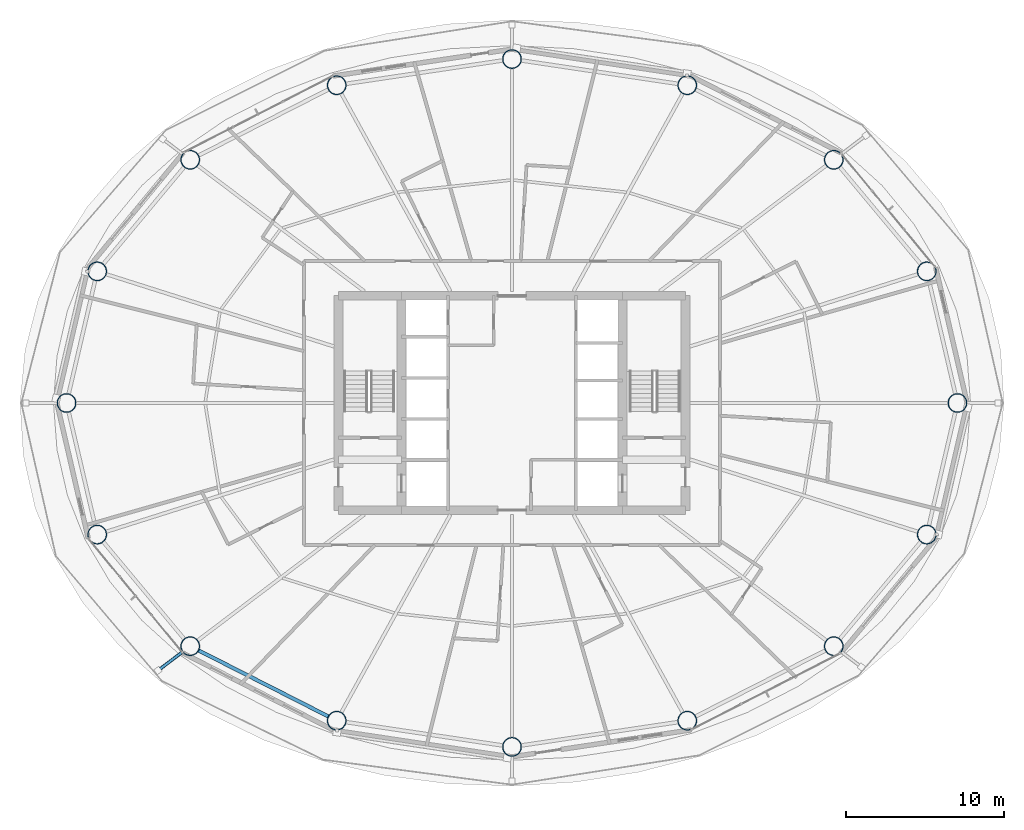
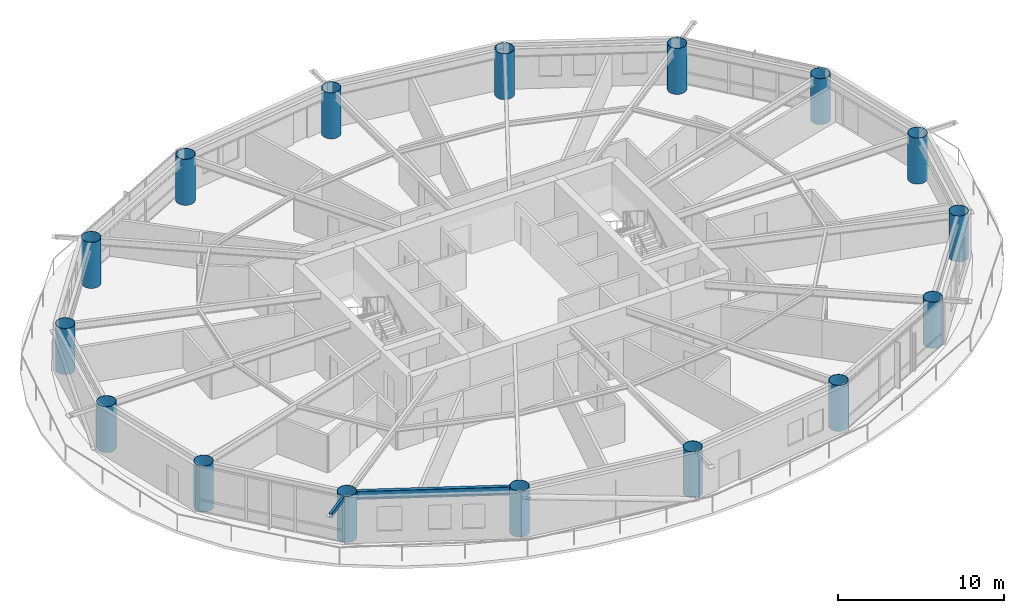
# One storey, part 1 of 24: 16 columns, 1 beam, 1 member.
"""IFC4 building model written with IfcOpenShell, lengths in metres."""

from ifc_helpers import new_model, si_unit, direction, frame, origin, origin_2d, place, context, subcontext, project, spatial, hollow_rectangle, hollow_circle, i_section, extrude, material, material_profile, profile_set, type_object, element, save


model = new_model("IFC4")

# Units and contexts
model_context = context("Model", 3, precision=1e-05, world=origin(), true_north=direction((0.0, 1.0)))
body_context = subcontext(model_context, "Body", "Model", "MODEL_VIEW")
ifc_project = project(units=[si_unit("LENGTHUNIT", "METRE"), si_unit("AREAUNIT", "SQUARE_METRE"), si_unit("VOLUMEUNIT", "CUBIC_METRE"), si_unit("PLANEANGLEUNIT", "RADIAN"), si_unit("MASSUNIT", "GRAM", prefix="KILO")], contexts=[model_context])

# Site, building, storey
site_placement = place(None, origin())
site = spatial("IfcSite", under=ifc_project, at=site_placement, CompositionType="ELEMENT")
building_placement = place(site_placement, origin())
building = spatial("IfcBuilding", under=site, at=building_placement, Name="Sarneth Arch Tower", CompositionType="ELEMENT")
storey_placement = place(building_placement, frame((0.0, 0.0, 102.0)))
storey = spatial("IfcBuildingStorey", under=building, at=storey_placement, Name="L25", CompositionType="ELEMENT", Elevation=102.0)

# Columns
ifc_material_1 = material(Name="Steel S355", Category="steel")
ifc_material_profile_1 = material_profile(ifc_material_1, hollow_circle(Radius=0.60009765625, WallThickness=0.031982421875, at=origin_2d()), Name="CHS1200x32")
ifc_profile_set_1 = profile_set([ifc_material_profile_1], Name="Steel S355")
column_type = type_object("IfcColumnType", Name="COL-MEGA-1200", PredefinedType="COLUMN", material=ifc_profile_set_1)
for number, where, z_axis, x_axis, name in (
    (1, (76.236572265625, 42.0, 0.0), (0.0, 0.0, 1.0), (1.0, 0.0, 0.0), "L25 Perimeter mega-column M01"),
    (2, (74.291259765625, 50.342529296875, 0.0), (0.0, 0.0, 1.0), (1.0, 0.0, 0.0), "L25 Perimeter mega-column M02"),
    (3, (68.397705078125, 57.4150390625, 0.0), (0.0, 0.0, 1.0), (1.0, 0.0, 0.0), "L25 Perimeter mega-column M03"),
    (4, (59.1103515625, 62.140625, 0.0), (0.0, 0.0, 1.0), (1.0, 0.0, 0.0), "L25 Perimeter mega-column M04"),
    (5, (48.0, 63.800048828125, 0.0), (0.0, 0.0, 1.0), (1.0, 0.0, 0.0), "L25 Perimeter mega-column M05"),
    (6, (36.8896484375, 62.140625, 0.0), (0.0, 0.0, 1.0), (1.0, 0.0, 0.0), "L25 Perimeter mega-column M06"),
    (7, (27.602294921875, 57.4150390625, 0.0), (0.0, 0.0, 1.0), (1.0, 0.0, 0.0), "L25 Perimeter mega-column M07"),
    (8, (21.708740234375, 50.342529296875, 0.0), (0.0, 0.0, 1.0), (1.0, 0.0, 0.0), "L25 Perimeter mega-column M08"),
    (9, (19.763427734375, 42.0, 0.0), (0.0, 0.0, 1.0), (1.0, 0.0, 0.0), "L25 Perimeter mega-column M09"),
    (10, (21.708740234375, 33.657470703125, 0.0), (0.0, 0.0, 1.0), (1.0, 0.0, 0.0), "L25 Perimeter mega-column M10"),
    (11, (27.602294921875, 26.5849609375, 0.0), (0.0, 0.0, 1.0), (1.0, 0.0, 0.0), "L25 Perimeter mega-column M11"),
    (12, (36.8896484375, 21.859375, 0.0), (0.0, 0.0, 1.0), (1.0, 0.0, 0.0), "L25 Perimeter mega-column M12"),
    (13, (48.0, 20.199951171875, 0.0), (0.0, 0.0, 1.0), (1.0, 0.0, 0.0), "L25 Perimeter mega-column M13"),
    (14, (59.1103515625, 21.859375, 0.0), (0.0, 0.0, 1.0), (1.0, 0.0, 0.0), "L25 Perimeter mega-column M14"),
    (15, (68.397705078125, 26.5849609375, 0.0), (0.0, 0.0, 1.0), (1.0, 0.0, 0.0), "L25 Perimeter mega-column M15"),
    (16, (74.291259765625, 33.657470703125, 0.0), (0.0, 0.0, 1.0), (1.0, 0.0, 0.0), "L25 Perimeter mega-column M16"),
):
    element("IfcColumn", number, at=place(storey_placement, frame(where, z_axis=z_axis, x_axis=x_axis)), inside=storey, type_object=column_type, Name=name, PredefinedType="COLUMN", context=body_context, shape_type="SweptSolid", body=[
        extrude(hollow_circle(Radius=0.60009765625, WallThickness=0.031982421875, at=origin_2d()), origin(), (0.0, 0.0, 1.0), 3.3798828125),
    ])

# Beam
ifc_material_2 = material(Name="Steel S355", Category="steel")
ifc_material_profile_2 = material_profile(ifc_material_2, i_section(OverallWidth=0.22900390625, OverallDepth=0.612060546875, WebThickness=0.011962890625, FlangeThickness=0.01953125, FilletRadius=0.01904296875, at=origin_2d()), Name="W610x125")
ifc_profile_set_2 = profile_set([ifc_material_profile_2], Name="Steel S355")
beam_type = type_object("IfcBeamType", Name="BM-SPAN-610C", PredefinedType="SPANDREL", material=ifc_profile_set_2)
beam_placement = place(storey_placement, frame((28.13720703125, 26.31298828125, 3.073974609375), z_axis=(0.891259443414, -0.453493775619, 0.0), x_axis=(0.453493775619, 0.891259443414, 0.0)))
element("IfcBeam", 17, at=beam_placement, inside=storey, type_object=beam_type, Name="L25 Perimeter spandrel beam 11", PredefinedType="SPANDREL", context=body_context, shape_type="SweptSolid", body=[
    extrude(i_section(OverallWidth=0.22900390625, OverallDepth=0.612060546875, WebThickness=0.011962890625, FlangeThickness=0.01953125, FilletRadius=0.01904296875, at=origin_2d()), origin(), (0.0, 0.0, 1.0), 9.220458984375),
])

# Member
ifc_material_3 = material(Name="Steel S355", Category="steel")
ifc_material_profile_3 = material_profile(ifc_material_3, hollow_rectangle(XDim=0.199951171875, YDim=0.300048828125, WallThickness=0.012451171875, InnerFilletRadius=0.018798828125, OuterFilletRadius=0.03125, at=origin_2d()), Name="RHS300x200x12.5")
ifc_profile_set_3 = profile_set([ifc_material_profile_3], Name="Steel S355")
member_type = type_object("IfcMemberType", Name="MEM-CANT-STRUT", PredefinedType="STRUT", material=ifc_profile_set_3)
member_placement = place(storey_placement, frame((27.123779296875, 26.223388671875, 3.219970703125), z_axis=(-0.797811377056, -0.602907129365, 0.0), x_axis=(0.602907129365, -0.797811377056, 0.0)))
element("IfcMember", 18, at=member_placement, inside=storey, type_object=member_type, Name="L25 Balcony cantilever bracket 11", PredefinedType="STRUT", context=body_context, shape_type="SweptSolid", body=[
    extrude(hollow_rectangle(XDim=0.199951171875, YDim=0.300048828125, WallThickness=0.012451171875, InnerFilletRadius=0.018798828125, OuterFilletRadius=0.03125, at=origin_2d()), origin(), (0.0, 0.0, 1.0), 1.958984375),
])

save(model, "model.ifc")
